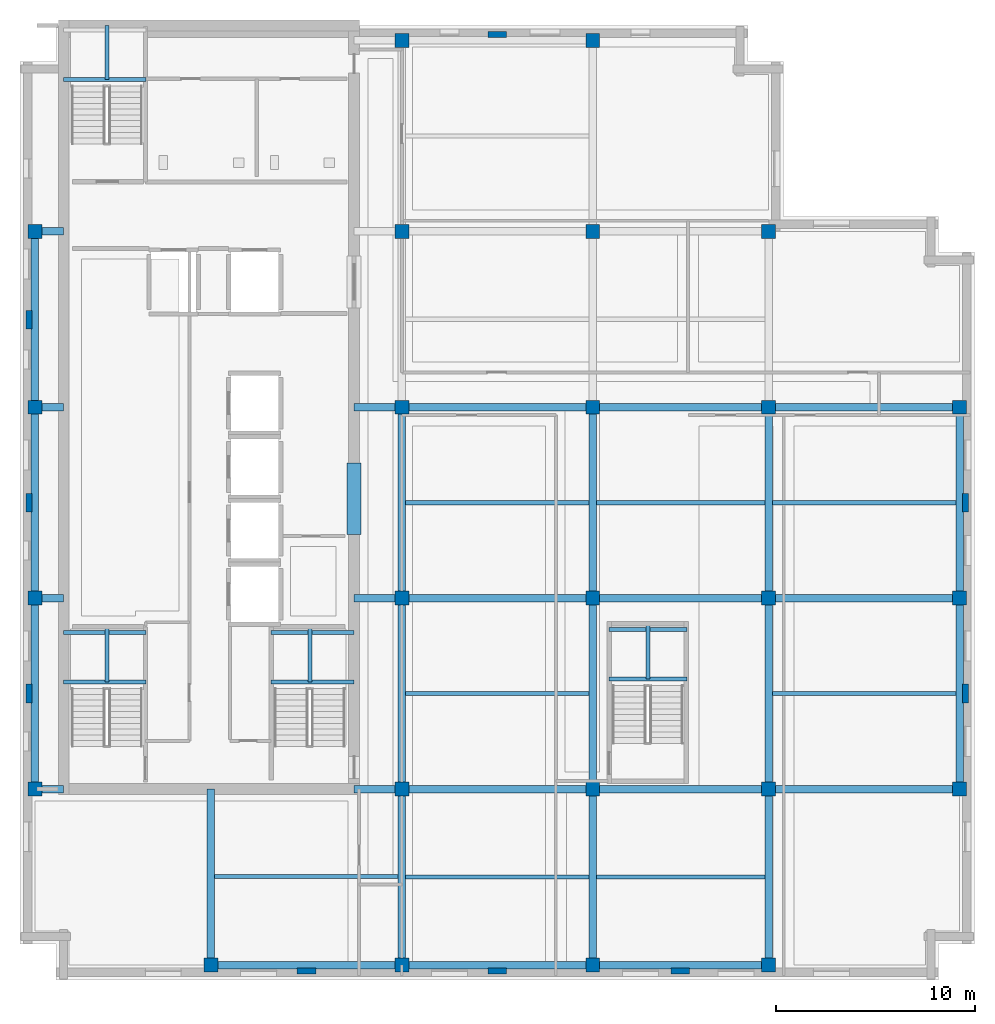
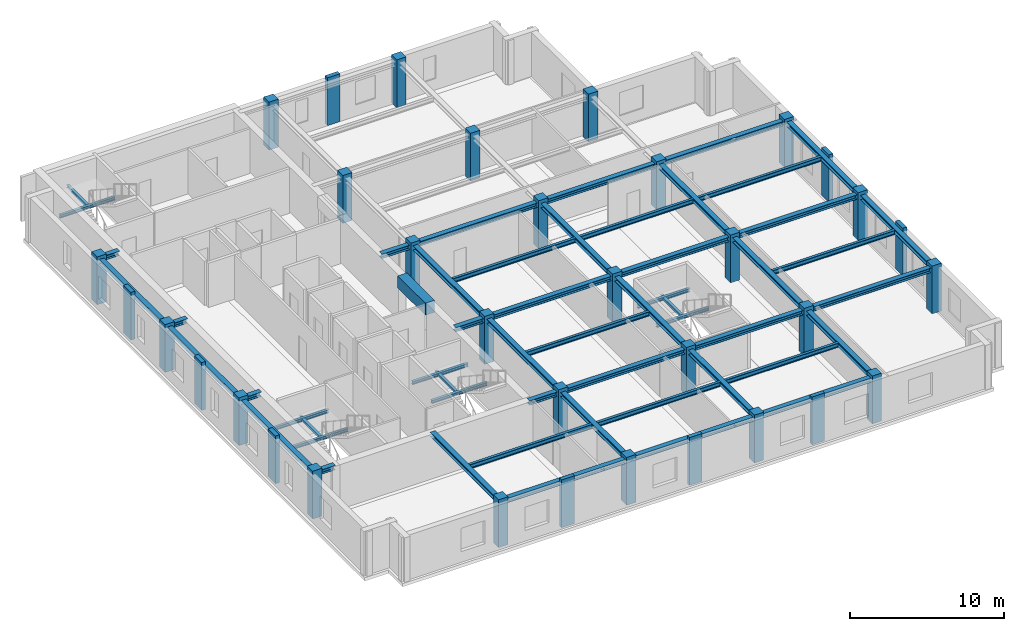
# One storey, part 1 of 10: 54 beams, 34 columns.
"""IFC4 building model written with IfcOpenShell, lengths in metres."""

from ifc_helpers import new_model, si_unit, direction, frame, origin, origin_2d, place, context, subcontext, project, spatial, rectangle, i_section, extrude, material, material_profile, profile_set, type_object, element, save


model = new_model("IFC4")

# Units and contexts
model_context = context("Model", 3, precision=1e-05, world=origin(), true_north=direction((0.0, 1.0)))
body_context = subcontext(model_context, "Body", "Model", "MODEL_VIEW")
ifc_project = project(units=[si_unit("LENGTHUNIT", "METRE"), si_unit("AREAUNIT", "SQUARE_METRE"), si_unit("VOLUMEUNIT", "CUBIC_METRE"), si_unit("PLANEANGLEUNIT", "RADIAN"), si_unit("MASSUNIT", "GRAM", prefix="KILO")], contexts=[model_context])

# Site, building, storey
site_placement = place(None, origin())
site = spatial("IfcSite", under=ifc_project, at=site_placement, CompositionType="ELEMENT")
building_placement = place(site_placement, origin())
building = spatial("IfcBuilding", under=site, at=building_placement, Name="Norrvale University Quadrangle", CompositionType="ELEMENT")
storey_placement = place(building_placement, frame((0.0, 0.0, 296.199951171875)))
storey = spatial("IfcBuildingStorey", under=building, at=storey_placement, Name="L75", CompositionType="ELEMENT", Elevation=296.199951171875)

# Columns
ifc_material_1 = material(Name="Red Manganese Brick Concrete C60/75", Category="concrete")
ifc_material_profile_1 = material_profile(ifc_material_1, rectangle(XDim=0.949951171875, YDim=0.300048828125, at=origin_2d()), Name="Red Manganese Brick Concrete C60/75")
ifc_profile_set_1 = profile_set([ifc_material_profile_1], Name="Red Manganese Brick Concrete C60/75")
column_type_1 = type_object("IfcColumnType", Name="Column Brick Pier 950x300", PredefinedType="PILASTER", material=ifc_profile_set_1)
for number, where, z_axis, x_axis, name in (
    (1, (0.449951171875, 14.39990234375, 0.0), (0.0, 0.0, 1.0), (0.0, 1.0, 0.0), "Exterior Brick Facade Pilaster L75-01"),
    (2, (0.449951171875, 24.0, 0.0), (0.0, 0.0, 1.0), (0.0, 1.0, 0.0), "Exterior Brick Facade Pilaster L75-02"),
    (3, (0.449951171875, 33.199951171875, 0.0), (0.0, 0.0, 1.0), (0.0, 1.0, 0.0), "Exterior Brick Facade Pilaster L75-03"),
    (4, (14.39990234375, 0.449951171875, 0.0), (0.0, 0.0, 1.0), (1.0, 0.0, 0.0), "Exterior Brick Facade Pilaster L75-04"),
    (5, (24.0, 0.449951171875, 0.0), (0.0, 0.0, 1.0), (1.0, 0.0, 0.0), "Exterior Brick Facade Pilaster L75-05"),
    (6, (33.199951171875, 0.449951171875, 0.0), (0.0, 0.0, 1.0), (1.0, 0.0, 0.0), "Exterior Brick Facade Pilaster L75-06"),
    (7, (47.550048828125, 14.39990234375, 0.0), (0.0, 0.0, 1.0), (0.0, 1.0, 0.0), "Exterior Brick Facade Pilaster L75-07"),
    (8, (47.550048828125, 24.0, 0.0), (0.0, 0.0, 1.0), (0.0, 1.0, 0.0), "Exterior Brick Facade Pilaster L75-08"),
    (9, (24.0, 47.550048828125, 0.0), (0.0, 0.0, 1.0), (1.0, 0.0, 0.0), "Exterior Brick Facade Pilaster L75-09"),
):
    element("IfcColumn", number, at=place(storey_placement, frame(where, z_axis=z_axis, x_axis=x_axis)), inside=storey, type_object=column_type_1, Name=name, PredefinedType="PILASTER", context=body_context, shape_type="SweptSolid", body=[
        extrude(rectangle(XDim=0.949951171875, YDim=0.300048828125, at=origin_2d()), origin(), (0.0, 0.0, 1.0), 3.800048828125),
    ])
ifc_material_2 = material(Name="Concrete C60/75", Category="concrete")
ifc_material_profile_2 = material_profile(ifc_material_2, rectangle(XDim=0.699951171875, YDim=0.699951171875, at=origin_2d()), Name="Concrete C60/75")
ifc_profile_set_2 = profile_set([ifc_material_profile_2], Name="Concrete C60/75")
column_type_2 = type_object("IfcColumnType", Name="Column Tower Z4 700x700", PredefinedType="COLUMN", material=ifc_profile_set_2)
for number, where, z_axis, x_axis, name in (
    (10, (0.75, 9.60009765625, 0.0), (0.0, 0.0, 1.0), (1.0, 0.0, 0.0), "Tower Column L75-T01"),
    (11, (0.75, 19.199951171875, 0.0), (0.0, 0.0, 1.0), (1.0, 0.0, 0.0), "Tower Column L75-T02"),
    (12, (0.75, 28.800048828125, 0.0), (0.0, 0.0, 1.0), (1.0, 0.0, 0.0), "Tower Column L75-T03"),
    (13, (0.75, 37.64990234375, 0.0), (0.0, 0.0, 1.0), (1.0, 0.0, 0.0), "Tower Column L75-T04"),
    (14, (9.60009765625, 0.75, 0.0), (0.0, 0.0, 1.0), (1.0, 0.0, 0.0), "Tower Column L75-T05"),
    (15, (19.199951171875, 0.75, 0.0), (0.0, 0.0, 1.0), (1.0, 0.0, 0.0), "Tower Column L75-T06"),
    (16, (19.199951171875, 9.60009765625, 0.0), (0.0, 0.0, 1.0), (1.0, 0.0, 0.0), "Tower Column L75-T07"),
    (17, (19.199951171875, 19.199951171875, 0.0), (0.0, 0.0, 1.0), (1.0, 0.0, 0.0), "Tower Column L75-T08"),
    (18, (19.199951171875, 28.800048828125, 0.0), (0.0, 0.0, 1.0), (1.0, 0.0, 0.0), "Tower Column L75-T09"),
    (19, (19.199951171875, 37.64990234375, 0.0), (0.0, 0.0, 1.0), (1.0, 0.0, 0.0), "Tower Column L75-T10"),
    (20, (19.199951171875, 47.25, 0.0), (0.0, 0.0, 1.0), (1.0, 0.0, 0.0), "Tower Column L75-T11"),
    (21, (28.800048828125, 0.75, 0.0), (0.0, 0.0, 1.0), (1.0, 0.0, 0.0), "Tower Column L75-T12"),
    (22, (28.800048828125, 9.60009765625, 0.0), (0.0, 0.0, 1.0), (1.0, 0.0, 0.0), "Tower Column L75-T13"),
    (23, (28.800048828125, 19.199951171875, 0.0), (0.0, 0.0, 1.0), (1.0, 0.0, 0.0), "Tower Column L75-T14"),
    (24, (28.800048828125, 28.800048828125, 0.0), (0.0, 0.0, 1.0), (1.0, 0.0, 0.0), "Tower Column L75-T15"),
    (25, (28.800048828125, 37.64990234375, 0.0), (0.0, 0.0, 1.0), (1.0, 0.0, 0.0), "Tower Column L75-T16"),
    (26, (28.800048828125, 47.25, 0.0), (0.0, 0.0, 1.0), (1.0, 0.0, 0.0), "Tower Column L75-T17"),
    (27, (37.64990234375, 0.75, 0.0), (0.0, 0.0, 1.0), (1.0, 0.0, 0.0), "Tower Column L75-T18"),
    (28, (37.64990234375, 9.60009765625, 0.0), (0.0, 0.0, 1.0), (1.0, 0.0, 0.0), "Tower Column L75-T19"),
    (29, (37.64990234375, 19.199951171875, 0.0), (0.0, 0.0, 1.0), (1.0, 0.0, 0.0), "Tower Column L75-T20"),
    (30, (37.64990234375, 28.800048828125, 0.0), (0.0, 0.0, 1.0), (1.0, 0.0, 0.0), "Tower Column L75-T21"),
    (31, (37.64990234375, 37.64990234375, 0.0), (0.0, 0.0, 1.0), (1.0, 0.0, 0.0), "Tower Column L75-T22"),
    (32, (47.25, 9.60009765625, 0.0), (0.0, 0.0, 1.0), (1.0, 0.0, 0.0), "Tower Column L75-T23"),
    (33, (47.25, 19.199951171875, 0.0), (0.0, 0.0, 1.0), (1.0, 0.0, 0.0), "Tower Column L75-T24"),
    (34, (47.25, 28.800048828125, 0.0), (0.0, 0.0, 1.0), (1.0, 0.0, 0.0), "Tower Column L75-T25"),
):
    element("IfcColumn", number, at=place(storey_placement, frame(where, z_axis=z_axis, x_axis=x_axis)), inside=storey, type_object=column_type_2, Name=name, PredefinedType="COLUMN", context=body_context, shape_type="SweptSolid", body=[
        extrude(rectangle(XDim=0.699951171875, YDim=0.699951171875, at=origin_2d()), origin(), (0.0, 0.0, 1.0), 3.800048828125),
    ])

# Beams
ifc_material_3 = material(Name="Concrete C80/95", Category="concrete")
ifc_material_profile_3 = material_profile(ifc_material_3, rectangle(XDim=0.699951171875, YDim=0.949951171875, at=origin_2d()), Name="Concrete C80/95")
ifc_profile_set_3 = profile_set([ifc_material_profile_3], Name="Concrete C80/95")
beam_type_1 = type_object("IfcBeamType", Name="Beam Core Link 700x950", PredefinedType="LINTEL", material=ifc_profile_set_3)
beam_1_placement = place(storey_placement, frame((16.800048828125, 22.39990234375, 3.06494140625), z_axis=(0.0, 1.0, 0.0), x_axis=(-1.0, 0.0, 0.0)))
element("IfcBeam", 35, at=beam_1_placement, inside=storey, type_object=beam_type_1, Name="Core Coupling Lintel Beam L75-1", PredefinedType="LINTEL", context=body_context, shape_type="SweptSolid", body=[
    extrude(rectangle(XDim=0.699951171875, YDim=0.949951171875, at=origin_2d()), origin(), (0.0, 0.0, 1.0), 3.60009765625),
])
ifc_material_4 = material(Name="Steel 350W", Category="steel")
ifc_material_profile_4 = material_profile(ifc_material_4, i_section(OverallWidth=0.368896484375, OverallDepth=0.35595703125, WebThickness=0.01123046875, FlangeThickness=0.01806640625, FilletRadius=0.014892578125, at=origin_2d()), Name="Steel 350W")
ifc_profile_set_4 = profile_set([ifc_material_profile_4], Name="Steel 350W")
beam_type_2 = type_object("IfcBeamType", Name="Beam Crown W360x134", PredefinedType="BEAM", material=ifc_profile_set_4)
beam_2_placement = place(storey_placement, frame((9.60009765625, 0.75, 3.362060546875), z_axis=(1.0, 0.0, 0.0), x_axis=(0.0, 1.0, 0.0)))
element("IfcBeam", 36, at=beam_2_placement, inside=storey, type_object=beam_type_2, Name="Beam Crown W360x134 BM-L75-GX001", PredefinedType="BEAM", context=body_context, shape_type="SweptSolid", body=[
    extrude(i_section(OverallWidth=0.368896484375, OverallDepth=0.35595703125, WebThickness=0.01123046875, FlangeThickness=0.01806640625, FilletRadius=0.014892578125, at=origin_2d()), origin(), (0.0, 0.0, 1.0), 9.599853515625),
])
beam_3_placement = place(storey_placement, frame((19.199951171875, 0.75, 3.362060546875), z_axis=(1.0, 0.0, 0.0), x_axis=(0.0, 1.0, 0.0)))
element("IfcBeam", 37, at=beam_3_placement, inside=storey, type_object=beam_type_2, Name="Beam Crown W360x134 BM-L75-GX002", PredefinedType="BEAM", context=body_context, shape_type="SweptSolid", body=[
    extrude(i_section(OverallWidth=0.368896484375, OverallDepth=0.35595703125, WebThickness=0.01123046875, FlangeThickness=0.01806640625, FilletRadius=0.014892578125, at=origin_2d()), origin(), (0.0, 0.0, 1.0), 9.60009765625),
])
beam_4_placement = place(storey_placement, frame((28.800048828125, 0.75, 3.362060546875), z_axis=(1.0, 0.0, 0.0), x_axis=(0.0, 1.0, 0.0)))
element("IfcBeam", 38, at=beam_4_placement, inside=storey, type_object=beam_type_2, Name="Beam Crown W360x134 BM-L75-GX003", PredefinedType="BEAM", context=body_context, shape_type="SweptSolid", body=[
    extrude(i_section(OverallWidth=0.368896484375, OverallDepth=0.35595703125, WebThickness=0.01123046875, FlangeThickness=0.01806640625, FilletRadius=0.014892578125, at=origin_2d()), origin(), (0.0, 0.0, 1.0), 8.849853515625),
])
beam_5_placement = place(storey_placement, frame((19.199951171875, 9.60009765625, 3.362060546875), z_axis=(1.0, 0.0, 0.0), x_axis=(0.0, 1.0, 0.0)))
element("IfcBeam", 39, at=beam_5_placement, inside=storey, type_object=beam_type_2, Name="Beam Crown W360x134 BM-L75-GX004", PredefinedType="BEAM", context=body_context, shape_type="SweptSolid", body=[
    extrude(i_section(OverallWidth=0.368896484375, OverallDepth=0.35595703125, WebThickness=0.01123046875, FlangeThickness=0.01806640625, FilletRadius=0.014892578125, at=origin_2d()), origin(), (0.0, 0.0, 1.0), 9.60009765625),
])
beam_6_placement = place(storey_placement, frame((28.800048828125, 9.60009765625, 3.362060546875), z_axis=(1.0, 0.0, 0.0), x_axis=(0.0, 1.0, 0.0)))
element("IfcBeam", 40, at=beam_6_placement, inside=storey, type_object=beam_type_2, Name="Beam Crown W360x134 BM-L75-GX005", PredefinedType="BEAM", context=body_context, shape_type="SweptSolid", body=[
    extrude(i_section(OverallWidth=0.368896484375, OverallDepth=0.35595703125, WebThickness=0.01123046875, FlangeThickness=0.01806640625, FilletRadius=0.014892578125, at=origin_2d()), origin(), (0.0, 0.0, 1.0), 8.849853515625),
])
for number, where, z_axis, x_axis, name in (
    (41, (37.64990234375, 9.60009765625, 3.362060546875), (1.0, 0.0, 0.0), (0.0, 1.0, 0.0), "Beam Crown W360x134 BM-L75-GX006"),
    (42, (19.199951171875, 19.199951171875, 3.362060546875), (1.0, 0.0, 0.0), (0.0, 1.0, 0.0), "Beam Crown W360x134 BM-L75-GX007"),
):
    element("IfcBeam", number, at=place(storey_placement, frame(where, z_axis=z_axis, x_axis=x_axis)), inside=storey, type_object=beam_type_2, Name=name, PredefinedType="BEAM", context=body_context, shape_type="SweptSolid", body=[
        extrude(i_section(OverallWidth=0.368896484375, OverallDepth=0.35595703125, WebThickness=0.01123046875, FlangeThickness=0.01806640625, FilletRadius=0.014892578125, at=origin_2d()), origin(), (0.0, 0.0, 1.0), 9.60009765625),
    ])
beam_7_placement = place(storey_placement, frame((28.800048828125, 19.199951171875, 3.362060546875), z_axis=(1.0, 0.0, 0.0), x_axis=(0.0, 1.0, 0.0)))
element("IfcBeam", 43, at=beam_7_placement, inside=storey, type_object=beam_type_2, Name="Beam Crown W360x134 BM-L75-GX008", PredefinedType="BEAM", context=body_context, shape_type="SweptSolid", body=[
    extrude(i_section(OverallWidth=0.368896484375, OverallDepth=0.35595703125, WebThickness=0.01123046875, FlangeThickness=0.01806640625, FilletRadius=0.014892578125, at=origin_2d()), origin(), (0.0, 0.0, 1.0), 8.849853515625),
])
for number, where, z_axis, x_axis, name in (
    (44, (37.64990234375, 19.199951171875, 3.362060546875), (1.0, 0.0, 0.0), (0.0, 1.0, 0.0), "Beam Crown W360x134 BM-L75-GX009"),
    (45, (19.199951171875, 28.800048828125, 3.362060546875), (1.0, 0.0, 0.0), (0.0, 1.0, 0.0), "Beam Crown W360x134 BM-L75-GX010"),
):
    element("IfcBeam", number, at=place(storey_placement, frame(where, z_axis=z_axis, x_axis=x_axis)), inside=storey, type_object=beam_type_2, Name=name, PredefinedType="BEAM", context=body_context, shape_type="SweptSolid", body=[
        extrude(i_section(OverallWidth=0.368896484375, OverallDepth=0.35595703125, WebThickness=0.01123046875, FlangeThickness=0.01806640625, FilletRadius=0.014892578125, at=origin_2d()), origin(), (0.0, 0.0, 1.0), 9.60009765625),
    ])
beam_8_placement = place(storey_placement, frame((28.800048828125, 28.800048828125, 3.362060546875), z_axis=(1.0, 0.0, 0.0), x_axis=(0.0, 1.0, 0.0)))
element("IfcBeam", 46, at=beam_8_placement, inside=storey, type_object=beam_type_2, Name="Beam Crown W360x134 BM-L75-GX011", PredefinedType="BEAM", context=body_context, shape_type="SweptSolid", body=[
    extrude(i_section(OverallWidth=0.368896484375, OverallDepth=0.35595703125, WebThickness=0.01123046875, FlangeThickness=0.01806640625, FilletRadius=0.014892578125, at=origin_2d()), origin(), (0.0, 0.0, 1.0), 8.849853515625),
])
beam_9_placement = place(storey_placement, frame((37.64990234375, 28.800048828125, 3.362060546875), z_axis=(1.0, 0.0, 0.0), x_axis=(0.0, 1.0, 0.0)))
element("IfcBeam", 47, at=beam_9_placement, inside=storey, type_object=beam_type_2, Name="Beam Crown W360x134 BM-L75-GX012", PredefinedType="BEAM", context=body_context, shape_type="SweptSolid", body=[
    extrude(i_section(OverallWidth=0.368896484375, OverallDepth=0.35595703125, WebThickness=0.01123046875, FlangeThickness=0.01806640625, FilletRadius=0.014892578125, at=origin_2d()), origin(), (0.0, 0.0, 1.0), 9.60009765625),
])
beam_10_placement = place(storey_placement, frame((0.75, 9.60009765625, 3.362060546875), z_axis=(0.0, 1.0, 0.0), x_axis=(-1.0, 0.0, 0.0)))
element("IfcBeam", 48, at=beam_10_placement, inside=storey, type_object=beam_type_2, Name="Beam Crown W360x134 BM-L75-GY016", PredefinedType="BEAM", context=body_context, shape_type="SweptSolid", body=[
    extrude(i_section(OverallWidth=0.368896484375, OverallDepth=0.35595703125, WebThickness=0.01123046875, FlangeThickness=0.01806640625, FilletRadius=0.014892578125, at=origin_2d()), origin(), (0.0, 0.0, 1.0), 9.599853515625),
])
beam_11_placement = place(storey_placement, frame((0.75, 19.199951171875, 3.362060546875), z_axis=(0.0, 1.0, 0.0), x_axis=(-1.0, 0.0, 0.0)))
element("IfcBeam", 49, at=beam_11_placement, inside=storey, type_object=beam_type_2, Name="Beam Crown W360x134 BM-L75-GY017", PredefinedType="BEAM", context=body_context, shape_type="SweptSolid", body=[
    extrude(i_section(OverallWidth=0.368896484375, OverallDepth=0.35595703125, WebThickness=0.01123046875, FlangeThickness=0.01806640625, FilletRadius=0.014892578125, at=origin_2d()), origin(), (0.0, 0.0, 1.0), 9.60009765625),
])
beam_12_placement = place(storey_placement, frame((0.75, 28.800048828125, 3.362060546875), z_axis=(0.0, 1.0, 0.0), x_axis=(-1.0, 0.0, 0.0)))
element("IfcBeam", 50, at=beam_12_placement, inside=storey, type_object=beam_type_2, Name="Beam Crown W360x134 BM-L75-GY018", PredefinedType="BEAM", context=body_context, shape_type="SweptSolid", body=[
    extrude(i_section(OverallWidth=0.368896484375, OverallDepth=0.35595703125, WebThickness=0.01123046875, FlangeThickness=0.01806640625, FilletRadius=0.014892578125, at=origin_2d()), origin(), (0.0, 0.0, 1.0), 8.849853515625),
])
beam_13_placement = place(storey_placement, frame((19.199951171875, 0.75, 3.362060546875), z_axis=(0.0, 1.0, 0.0), x_axis=(-1.0, 0.0, 0.0)))
element("IfcBeam", 51, at=beam_13_placement, inside=storey, type_object=beam_type_2, Name="Beam Crown W360x134 BM-L75-GY019", PredefinedType="BEAM", context=body_context, shape_type="SweptSolid", body=[
    extrude(i_section(OverallWidth=0.368896484375, OverallDepth=0.35595703125, WebThickness=0.01123046875, FlangeThickness=0.01806640625, FilletRadius=0.014892578125, at=origin_2d()), origin(), (0.0, 0.0, 1.0), 8.85009765625),
])
beam_14_placement = place(storey_placement, frame((19.199951171875, 9.60009765625, 3.362060546875), z_axis=(0.0, 1.0, 0.0), x_axis=(-1.0, 0.0, 0.0)))
element("IfcBeam", 52, at=beam_14_placement, inside=storey, type_object=beam_type_2, Name="Beam Crown W360x134 BM-L75-GY020", PredefinedType="BEAM", context=body_context, shape_type="SweptSolid", body=[
    extrude(i_section(OverallWidth=0.368896484375, OverallDepth=0.35595703125, WebThickness=0.01123046875, FlangeThickness=0.01806640625, FilletRadius=0.014892578125, at=origin_2d()), origin(), (0.0, 0.0, 1.0), 9.599853515625),
])
beam_15_placement = place(storey_placement, frame((19.199951171875, 19.199951171875, 3.362060546875), z_axis=(0.0, 1.0, 0.0), x_axis=(-1.0, 0.0, 0.0)))
element("IfcBeam", 53, at=beam_15_placement, inside=storey, type_object=beam_type_2, Name="Beam Crown W360x134 BM-L75-GY021", PredefinedType="BEAM", context=body_context, shape_type="SweptSolid", body=[
    extrude(i_section(OverallWidth=0.368896484375, OverallDepth=0.35595703125, WebThickness=0.01123046875, FlangeThickness=0.01806640625, FilletRadius=0.014892578125, at=origin_2d()), origin(), (0.0, 0.0, 1.0), 9.60009765625),
])
beam_16_placement = place(storey_placement, frame((28.800048828125, 0.75, 3.362060546875), z_axis=(0.0, 1.0, 0.0), x_axis=(-1.0, 0.0, 0.0)))
element("IfcBeam", 54, at=beam_16_placement, inside=storey, type_object=beam_type_2, Name="Beam Crown W360x134 BM-L75-GY024", PredefinedType="BEAM", context=body_context, shape_type="SweptSolid", body=[
    extrude(i_section(OverallWidth=0.368896484375, OverallDepth=0.35595703125, WebThickness=0.01123046875, FlangeThickness=0.01806640625, FilletRadius=0.014892578125, at=origin_2d()), origin(), (0.0, 0.0, 1.0), 8.85009765625),
])
beam_17_placement = place(storey_placement, frame((28.800048828125, 9.60009765625, 3.362060546875), z_axis=(0.0, 1.0, 0.0), x_axis=(-1.0, 0.0, 0.0)))
element("IfcBeam", 55, at=beam_17_placement, inside=storey, type_object=beam_type_2, Name="Beam Crown W360x134 BM-L75-GY025", PredefinedType="BEAM", context=body_context, shape_type="SweptSolid", body=[
    extrude(i_section(OverallWidth=0.368896484375, OverallDepth=0.35595703125, WebThickness=0.01123046875, FlangeThickness=0.01806640625, FilletRadius=0.014892578125, at=origin_2d()), origin(), (0.0, 0.0, 1.0), 9.599853515625),
])
beam_18_placement = place(storey_placement, frame((28.800048828125, 19.199951171875, 3.362060546875), z_axis=(0.0, 1.0, 0.0), x_axis=(-1.0, 0.0, 0.0)))
element("IfcBeam", 56, at=beam_18_placement, inside=storey, type_object=beam_type_2, Name="Beam Crown W360x134 BM-L75-GY026", PredefinedType="BEAM", context=body_context, shape_type="SweptSolid", body=[
    extrude(i_section(OverallWidth=0.368896484375, OverallDepth=0.35595703125, WebThickness=0.01123046875, FlangeThickness=0.01806640625, FilletRadius=0.014892578125, at=origin_2d()), origin(), (0.0, 0.0, 1.0), 9.60009765625),
])
beam_19_placement = place(storey_placement, frame((37.64990234375, 0.75, 3.362060546875), z_axis=(0.0, 1.0, 0.0), x_axis=(-1.0, 0.0, 0.0)))
element("IfcBeam", 57, at=beam_19_placement, inside=storey, type_object=beam_type_2, Name="Beam Crown W360x134 BM-L75-GY029", PredefinedType="BEAM", context=body_context, shape_type="SweptSolid", body=[
    extrude(i_section(OverallWidth=0.368896484375, OverallDepth=0.35595703125, WebThickness=0.01123046875, FlangeThickness=0.01806640625, FilletRadius=0.014892578125, at=origin_2d()), origin(), (0.0, 0.0, 1.0), 8.85009765625),
])
beam_20_placement = place(storey_placement, frame((37.64990234375, 9.60009765625, 3.362060546875), z_axis=(0.0, 1.0, 0.0), x_axis=(-1.0, 0.0, 0.0)))
element("IfcBeam", 58, at=beam_20_placement, inside=storey, type_object=beam_type_2, Name="Beam Crown W360x134 BM-L75-GY030", PredefinedType="BEAM", context=body_context, shape_type="SweptSolid", body=[
    extrude(i_section(OverallWidth=0.368896484375, OverallDepth=0.35595703125, WebThickness=0.01123046875, FlangeThickness=0.01806640625, FilletRadius=0.014892578125, at=origin_2d()), origin(), (0.0, 0.0, 1.0), 9.599853515625),
])
beam_21_placement = place(storey_placement, frame((37.64990234375, 19.199951171875, 3.362060546875), z_axis=(0.0, 1.0, 0.0), x_axis=(-1.0, 0.0, 0.0)))
element("IfcBeam", 59, at=beam_21_placement, inside=storey, type_object=beam_type_2, Name="Beam Crown W360x134 BM-L75-GY031", PredefinedType="BEAM", context=body_context, shape_type="SweptSolid", body=[
    extrude(i_section(OverallWidth=0.368896484375, OverallDepth=0.35595703125, WebThickness=0.01123046875, FlangeThickness=0.01806640625, FilletRadius=0.014892578125, at=origin_2d()), origin(), (0.0, 0.0, 1.0), 9.60009765625),
])
beam_22_placement = place(storey_placement, frame((47.25, 9.60009765625, 3.362060546875), z_axis=(0.0, 1.0, 0.0), x_axis=(-1.0, 0.0, 0.0)))
element("IfcBeam", 60, at=beam_22_placement, inside=storey, type_object=beam_type_2, Name="Beam Crown W360x134 BM-L75-GY033", PredefinedType="BEAM", context=body_context, shape_type="SweptSolid", body=[
    extrude(i_section(OverallWidth=0.368896484375, OverallDepth=0.35595703125, WebThickness=0.01123046875, FlangeThickness=0.01806640625, FilletRadius=0.014892578125, at=origin_2d()), origin(), (0.0, 0.0, 1.0), 9.599853515625),
])
beam_23_placement = place(storey_placement, frame((47.25, 19.199951171875, 3.362060546875), z_axis=(0.0, 1.0, 0.0), x_axis=(-1.0, 0.0, 0.0)))
element("IfcBeam", 61, at=beam_23_placement, inside=storey, type_object=beam_type_2, Name="Beam Crown W360x134 BM-L75-GY034", PredefinedType="BEAM", context=body_context, shape_type="SweptSolid", body=[
    extrude(i_section(OverallWidth=0.368896484375, OverallDepth=0.35595703125, WebThickness=0.01123046875, FlangeThickness=0.01806640625, FilletRadius=0.014892578125, at=origin_2d()), origin(), (0.0, 0.0, 1.0), 9.60009765625),
])
beam_24_placement = place(storey_placement, frame((0.75, 9.60009765625, 3.362060546875), z_axis=(1.0, 0.0, 0.0), x_axis=(0.0, 1.0, 0.0)))
element("IfcBeam", 62, at=beam_24_placement, inside=storey, type_object=beam_type_2, Name="Beam Crown W360x134 BM-L75-GCW035", PredefinedType="BEAM", context=body_context, shape_type="SweptSolid", body=[
    extrude(i_section(OverallWidth=0.368896484375, OverallDepth=0.35595703125, WebThickness=0.01123046875, FlangeThickness=0.01806640625, FilletRadius=0.014892578125, at=origin_2d()), origin(), (0.0, 0.0, 1.0), 1.449951171875),
])
beam_25_placement = place(storey_placement, frame((16.800048828125, 9.60009765625, 3.362060546875), z_axis=(1.0, 0.0, 0.0), x_axis=(0.0, 1.0, 0.0)))
element("IfcBeam", 63, at=beam_25_placement, inside=storey, type_object=beam_type_2, Name="Beam Crown W360x134 BM-L75-GCE036", PredefinedType="BEAM", context=body_context, shape_type="SweptSolid", body=[
    extrude(i_section(OverallWidth=0.368896484375, OverallDepth=0.35595703125, WebThickness=0.01123046875, FlangeThickness=0.01806640625, FilletRadius=0.014892578125, at=origin_2d()), origin(), (0.0, 0.0, 1.0), 2.39990234375),
])
beam_26_placement = place(storey_placement, frame((0.75, 19.199951171875, 3.362060546875), z_axis=(1.0, 0.0, 0.0), x_axis=(0.0, 1.0, 0.0)))
element("IfcBeam", 64, at=beam_26_placement, inside=storey, type_object=beam_type_2, Name="Beam Crown W360x134 BM-L75-GCW037", PredefinedType="BEAM", context=body_context, shape_type="SweptSolid", body=[
    extrude(i_section(OverallWidth=0.368896484375, OverallDepth=0.35595703125, WebThickness=0.01123046875, FlangeThickness=0.01806640625, FilletRadius=0.014892578125, at=origin_2d()), origin(), (0.0, 0.0, 1.0), 1.449951171875),
])
beam_27_placement = place(storey_placement, frame((16.800048828125, 19.199951171875, 3.362060546875), z_axis=(1.0, 0.0, 0.0), x_axis=(0.0, 1.0, 0.0)))
element("IfcBeam", 65, at=beam_27_placement, inside=storey, type_object=beam_type_2, Name="Beam Crown W360x134 BM-L75-GCE038", PredefinedType="BEAM", context=body_context, shape_type="SweptSolid", body=[
    extrude(i_section(OverallWidth=0.368896484375, OverallDepth=0.35595703125, WebThickness=0.01123046875, FlangeThickness=0.01806640625, FilletRadius=0.014892578125, at=origin_2d()), origin(), (0.0, 0.0, 1.0), 2.39990234375),
])
beam_28_placement = place(storey_placement, frame((0.75, 28.800048828125, 3.362060546875), z_axis=(1.0, 0.0, 0.0), x_axis=(0.0, 1.0, 0.0)))
element("IfcBeam", 66, at=beam_28_placement, inside=storey, type_object=beam_type_2, Name="Beam Crown W360x134 BM-L75-GCW039", PredefinedType="BEAM", context=body_context, shape_type="SweptSolid", body=[
    extrude(i_section(OverallWidth=0.368896484375, OverallDepth=0.35595703125, WebThickness=0.01123046875, FlangeThickness=0.01806640625, FilletRadius=0.014892578125, at=origin_2d()), origin(), (0.0, 0.0, 1.0), 1.449951171875),
])
beam_29_placement = place(storey_placement, frame((16.800048828125, 28.800048828125, 3.362060546875), z_axis=(1.0, 0.0, 0.0), x_axis=(0.0, 1.0, 0.0)))
element("IfcBeam", 67, at=beam_29_placement, inside=storey, type_object=beam_type_2, Name="Beam Crown W360x134 BM-L75-GCE040", PredefinedType="BEAM", context=body_context, shape_type="SweptSolid", body=[
    extrude(i_section(OverallWidth=0.368896484375, OverallDepth=0.35595703125, WebThickness=0.01123046875, FlangeThickness=0.01806640625, FilletRadius=0.014892578125, at=origin_2d()), origin(), (0.0, 0.0, 1.0), 2.39990234375),
])
beam_30_placement = place(storey_placement, frame((0.75, 37.64990234375, 3.362060546875), z_axis=(1.0, 0.0, 0.0), x_axis=(0.0, 1.0, 0.0)))
element("IfcBeam", 68, at=beam_30_placement, inside=storey, type_object=beam_type_2, Name="Beam Crown W360x134 BM-L75-GCW041", PredefinedType="BEAM", context=body_context, shape_type="SweptSolid", body=[
    extrude(i_section(OverallWidth=0.368896484375, OverallDepth=0.35595703125, WebThickness=0.01123046875, FlangeThickness=0.01806640625, FilletRadius=0.014892578125, at=origin_2d()), origin(), (0.0, 0.0, 1.0), 1.449951171875),
])
beam_31_placement = place(storey_placement, frame((9.60009765625, 0.75, 3.362060546875), z_axis=(0.0, 1.0, 0.0), x_axis=(-1.0, 0.0, 0.0)))
element("IfcBeam", 69, at=beam_31_placement, inside=storey, type_object=beam_type_2, Name="Beam Crown W360x134 BM-L75-GCS054", PredefinedType="BEAM", context=body_context, shape_type="SweptSolid", body=[
    extrude(i_section(OverallWidth=0.368896484375, OverallDepth=0.35595703125, WebThickness=0.01123046875, FlangeThickness=0.01806640625, FilletRadius=0.014892578125, at=origin_2d()), origin(), (0.0, 0.0, 1.0), 8.85009765625),
])
ifc_material_profile_5 = material_profile(ifc_material_4, i_section(OverallWidth=0.205078125, OverallDepth=0.35400390625, WebThickness=0.009521484375, FlangeThickness=0.016845703125, FilletRadius=0.011962890625, at=origin_2d()), Name="Steel 350W")
ifc_profile_set_5 = profile_set([ifc_material_profile_5], Name="Steel 350W")
beam_type_3 = type_object("IfcBeamType", Name="Beam Crown W360x79", PredefinedType="BEAM", material=ifc_profile_set_5)
for number, where, z_axis, x_axis, name in (
    (70, (19.384521484375, 5.175048828125, 3.363037109375), (1.0, 0.0, 0.0), (0.0, 1.0, 0.0), "Beam Crown W360x79 BM-L75-J044"),
    (71, (19.384521484375, 14.39990234375, 3.363037109375), (1.0, 0.0, 0.0), (0.0, 1.0, 0.0), "Beam Crown W360x79 BM-L75-J045"),
    (72, (19.384521484375, 24.0, 3.363037109375), (1.0, 0.0, 0.0), (0.0, 1.0, 0.0), "Beam Crown W360x79 BM-L75-J046"),
):
    element("IfcBeam", number, at=place(storey_placement, frame(where, z_axis=z_axis, x_axis=x_axis)), inside=storey, type_object=beam_type_3, Name=name, PredefinedType="BEAM", context=body_context, shape_type="SweptSolid", body=[
        extrude(i_section(OverallWidth=0.205078125, OverallDepth=0.35400390625, WebThickness=0.009521484375, FlangeThickness=0.016845703125, FilletRadius=0.011962890625, at=origin_2d()), origin(), (0.0, 0.0, 1.0), 9.23095703125),
    ])
for number, where, z_axis, x_axis, name in (
    (73, (28.984619140625, 5.175048828125, 3.363037109375), (1.0, 0.0, 0.0), (0.0, 1.0, 0.0), "Beam Crown W360x79 BM-L75-J049"),
    (74, (28.984619140625, 24.0, 3.363037109375), (1.0, 0.0, 0.0), (0.0, 1.0, 0.0), "Beam Crown W360x79 BM-L75-J050"),
):
    element("IfcBeam", number, at=place(storey_placement, frame(where, z_axis=z_axis, x_axis=x_axis)), inside=storey, type_object=beam_type_3, Name=name, PredefinedType="BEAM", context=body_context, shape_type="SweptSolid", body=[
        extrude(i_section(OverallWidth=0.205078125, OverallDepth=0.35400390625, WebThickness=0.009521484375, FlangeThickness=0.016845703125, FilletRadius=0.011962890625, at=origin_2d()), origin(), (0.0, 0.0, 1.0), 8.48095703125),
    ])
for number, where, z_axis, x_axis, name in (
    (75, (37.83447265625, 14.39990234375, 3.363037109375), (1.0, 0.0, 0.0), (0.0, 1.0, 0.0), "Beam Crown W360x79 BM-L75-J052"),
    (76, (37.83447265625, 24.0, 3.363037109375), (1.0, 0.0, 0.0), (0.0, 1.0, 0.0), "Beam Crown W360x79 BM-L75-J053"),
    (77, (9.784423828125, 5.199951171875, 3.363037109375), (1.0, 0.0, 0.0), (0.0, 1.0, 0.0), "Beam Crown W360x79 BM-L75-JCS055"),
):
    element("IfcBeam", number, at=place(storey_placement, frame(where, z_axis=z_axis, x_axis=x_axis)), inside=storey, type_object=beam_type_3, Name=name, PredefinedType="BEAM", context=body_context, shape_type="SweptSolid", body=[
        extrude(i_section(OverallWidth=0.205078125, OverallDepth=0.35400390625, WebThickness=0.009521484375, FlangeThickness=0.016845703125, FilletRadius=0.011962890625, at=origin_2d()), origin(), (0.0, 0.0, 1.0), 9.23095703125),
    ])
ifc_material_profile_6 = material_profile(ifc_material_4, i_section(OverallWidth=0.201904296875, OverallDepth=0.2470703125, WebThickness=0.00732421875, FlangeThickness=0.010986328125, FilletRadius=0.011962890625, at=origin_2d()), Name="Steel 350W")
ifc_profile_set_6 = profile_set([ifc_material_profile_6], Name="Steel 350W")
beam_type_4 = type_object("IfcBeamType", Name="Beam Stair W250x49", PredefinedType="BEAM", material=ifc_profile_set_6)
for number, where, z_axis, x_axis, name in (
    (78, (2.199951171875, 14.989990234375, 1.57666015625), (1.0, 0.0, 0.0), (0.0, 1.0, 0.0), "Stair Mid-Landing Front Beam ST-01 L75"),
    (79, (2.199951171875, 17.469970703125, 1.57666015625), (1.0, 0.0, 0.0), (0.0, 1.0, 0.0), "Stair Mid-Landing Rear Beam ST-01 L75"),
    (80, (2.199951171875, 45.2900390625, 1.57666015625), (1.0, 0.0, 0.0), (0.0, 1.0, 0.0), "Stair Mid-Landing Front Beam ST-02 L75"),
):
    element("IfcBeam", number, at=place(storey_placement, frame(where, z_axis=z_axis, x_axis=x_axis)), inside=storey, type_object=beam_type_4, Name=name, PredefinedType="BEAM", context=body_context, shape_type="SweptSolid", body=[
        extrude(i_section(OverallWidth=0.201904296875, OverallDepth=0.2470703125, WebThickness=0.00732421875, FlangeThickness=0.010986328125, FilletRadius=0.011962890625, at=origin_2d()), origin(), (0.0, 0.0, 1.0), 4.14013671875),
    ])
for number, where, z_axis, x_axis, name in (
    (81, (12.610107421875, 14.989990234375, 1.57666015625), (1.0, 0.0, 0.0), (0.0, 1.0, 0.0), "Stair Mid-Landing Front Beam ST-03 L75"),
    (82, (12.610107421875, 17.469970703125, 1.57666015625), (1.0, 0.0, 0.0), (0.0, 1.0, 0.0), "Stair Mid-Landing Rear Beam ST-03 L75"),
):
    element("IfcBeam", number, at=place(storey_placement, frame(where, z_axis=z_axis, x_axis=x_axis)), inside=storey, type_object=beam_type_4, Name=name, PredefinedType="BEAM", context=body_context, shape_type="SweptSolid", body=[
        extrude(i_section(OverallWidth=0.201904296875, OverallDepth=0.2470703125, WebThickness=0.00732421875, FlangeThickness=0.010986328125, FilletRadius=0.011962890625, at=origin_2d()), origin(), (0.0, 0.0, 1.0), 4.18994140625),
    ])
for number, where, z_axis, x_axis, name in (
    (83, (29.610107421875, 15.139892578125, 1.57666015625), (1.0, 0.0, 0.0), (0.0, 1.0, 0.0), "Stair Mid-Landing Front Beam ST-04 L75"),
    (84, (29.610107421875, 17.6201171875, 1.57666015625), (1.0, 0.0, 0.0), (0.0, 1.0, 0.0), "Stair Mid-Landing Rear Beam ST-04 L75"),
):
    element("IfcBeam", number, at=place(storey_placement, frame(where, z_axis=z_axis, x_axis=x_axis)), inside=storey, type_object=beam_type_4, Name=name, PredefinedType="BEAM", context=body_context, shape_type="SweptSolid", body=[
        extrude(i_section(OverallWidth=0.201904296875, OverallDepth=0.2470703125, WebThickness=0.00732421875, FlangeThickness=0.010986328125, FilletRadius=0.011962890625, at=origin_2d()), origin(), (0.0, 0.0, 1.0), 3.929931640625),
    ])
ifc_material_profile_7 = material_profile(ifc_material_4, i_section(OverallWidth=0.202880859375, OverallDepth=0.202880859375, WebThickness=0.007080078125, FlangeThickness=0.010986328125, FilletRadius=0.010009765625, at=origin_2d()), Name="Steel 350W")
ifc_profile_set_7 = profile_set([ifc_material_profile_7], Name="Steel 350W")
beam_type_5 = type_object("IfcBeamType", Name="Beam Trim W200x46", PredefinedType="BEAM", material=ifc_profile_set_7)
beam_32_placement = place(storey_placement, frame((4.375, 14.989990234375, 1.5986328125), z_axis=(0.0, 1.0, 0.0), x_axis=(-1.0, 0.0, 0.0)))
element("IfcBeam", 85, at=beam_32_placement, inside=storey, type_object=beam_type_5, Name="Stair Mid-Landing Cross Beam ST-01 L75", PredefinedType="BEAM", context=body_context, shape_type="SweptSolid", body=[
    extrude(i_section(OverallWidth=0.202880859375, OverallDepth=0.202880859375, WebThickness=0.007080078125, FlangeThickness=0.010986328125, FilletRadius=0.010009765625, at=origin_2d()), origin(), (0.0, 0.0, 1.0), 2.800048828125),
])
beam_33_placement = place(storey_placement, frame((4.375, 45.2900390625, 1.5986328125), z_axis=(0.0, 1.0, 0.0), x_axis=(-1.0, 0.0, 0.0)))
element("IfcBeam", 86, at=beam_33_placement, inside=storey, type_object=beam_type_5, Name="Stair Mid-Landing Cross Beam ST-02 L75", PredefinedType="BEAM", context=body_context, shape_type="SweptSolid", body=[
    extrude(i_section(OverallWidth=0.202880859375, OverallDepth=0.202880859375, WebThickness=0.007080078125, FlangeThickness=0.010986328125, FilletRadius=0.010009765625, at=origin_2d()), origin(), (0.0, 0.0, 1.0), 2.7099609375),
])
for number, where, z_axis, x_axis, name in (
    (87, (14.574951171875, 14.989990234375, 1.5986328125), (0.0, 1.0, 0.0), (-1.0, 0.0, 0.0), "Stair Mid-Landing Cross Beam ST-03 L75"),
    (88, (31.574951171875, 15.139892578125, 1.5986328125), (0.0, 1.0, 0.0), (-1.0, 0.0, 0.0), "Stair Mid-Landing Cross Beam ST-04 L75"),
):
    element("IfcBeam", number, at=place(storey_placement, frame(where, z_axis=z_axis, x_axis=x_axis)), inside=storey, type_object=beam_type_5, Name=name, PredefinedType="BEAM", context=body_context, shape_type="SweptSolid", body=[
        extrude(i_section(OverallWidth=0.202880859375, OverallDepth=0.202880859375, WebThickness=0.007080078125, FlangeThickness=0.010986328125, FilletRadius=0.010009765625, at=origin_2d()), origin(), (0.0, 0.0, 1.0), 2.800048828125),
    ])

save(model, "model.ifc")
